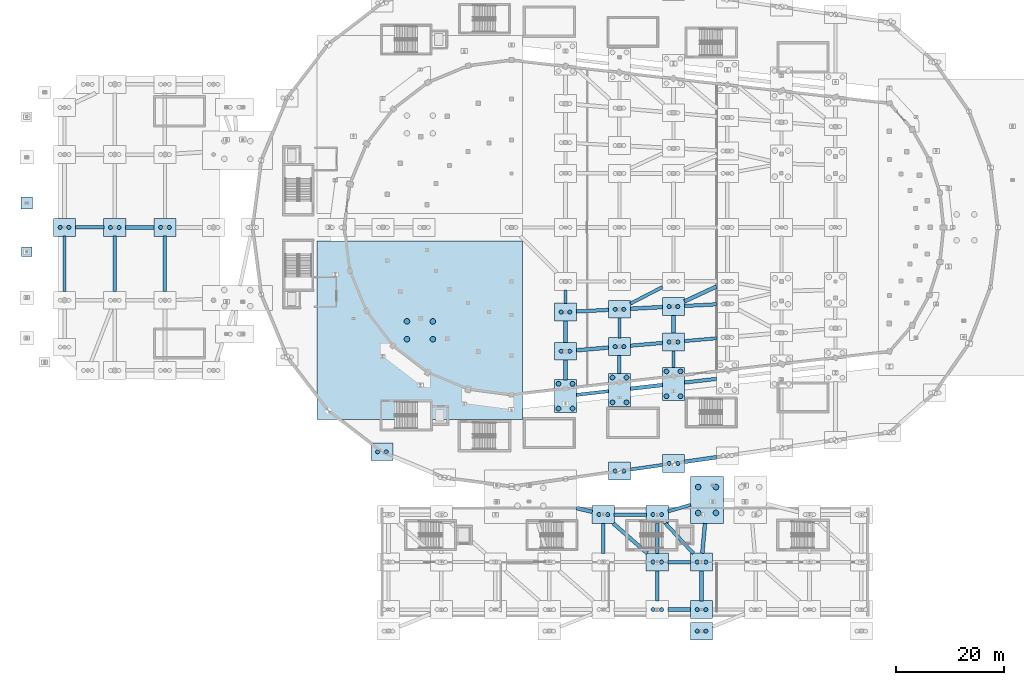
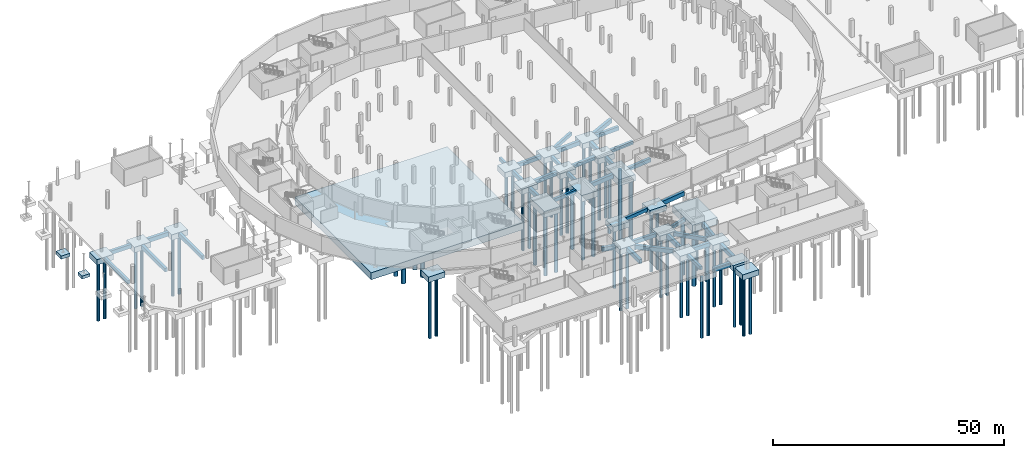
# One storey, part 2 of 55: 62 footings, 58 piles.
"""IFC4 building model written with IfcOpenShell, lengths in metres."""

from ifc_helpers import new_model, si_unit, direction, frame, origin, origin_2d, place, context, subcontext, project, spatial, rectangle, circle, extrude, material, material_profile, profile_set, type_object, element, save


model = new_model("IFC4")

# Units and contexts
model_context = context("Model", 3, precision=1e-05, world=origin(), true_north=direction((0.0, 1.0)))
body_context = subcontext(model_context, "Body", "Model", "MODEL_VIEW")
ifc_project = project(units=[si_unit("LENGTHUNIT", "METRE"), si_unit("AREAUNIT", "SQUARE_METRE"), si_unit("VOLUMEUNIT", "CUBIC_METRE"), si_unit("PLANEANGLEUNIT", "RADIAN"), si_unit("MASSUNIT", "GRAM", prefix="KILO")], contexts=[model_context])

# Site, building, storey
site_placement = place(None, origin())
site = spatial("IfcSite", under=ifc_project, at=site_placement, CompositionType="ELEMENT")
building_placement = place(site_placement, origin())
building = spatial("IfcBuilding", under=site, at=building_placement, Name="Sohan Crest Arena", CompositionType="ELEMENT")
storey_placement = place(building_placement, frame((0.0, 0.0, -4.5)))
storey = spatial("IfcBuildingStorey", under=building, at=storey_placement, Name="B1", CompositionType="ELEMENT", Elevation=-4.5)

# Footings
ifc_material = material(Name="Concrete C40/50", Category="concrete")
ifc_material_profile_1 = material_profile(ifc_material, rectangle(XDim=0.60009765625, YDim=0.89990234375, at=origin_2d()), Name="RC-FB 600x900")
ifc_profile_set_1 = profile_set([ifc_material_profile_1], Name="Concrete C40/50")
footing_type_1 = type_object("IfcFootingType", Name="FND-FB01", PredefinedType="FOOTING_BEAM", material=ifc_profile_set_1)
footing_1_placement = place(storey_placement, frame((15.199951171875, 66.1298828125, -1.0), z_axis=(0.0, 1.0, 0.0), x_axis=(-1.0, 0.0, 0.0)))
element("IfcFooting", 1, at=footing_1_placement, inside=storey, type_object=footing_type_1, Name="Continuous RC footing tie beam FB-003", PredefinedType="FOOTING_BEAM", context=body_context, shape_type="SweptSolid", body=[
    extrude(rectangle(XDim=0.60009765625, YDim=0.89990234375, at=origin_2d()), origin(), (0.0, 0.0, 1.0), 10.240234375),
])
footing_2_placement = place(storey_placement, frame((110.030029296875, 46.97509765625, -1.0), z_axis=(0.993530698181, 0.113563866488, 0.0), x_axis=(-0.113563866488, 0.993530698181, 0.0)))
element("IfcFooting", 2, at=footing_2_placement, inside=storey, type_object=footing_type_1, Name="Continuous RC footing tie beam FB-066", PredefinedType="FOOTING_BEAM", context=body_context, shape_type="SweptSolid", body=[
    extrude(rectangle(XDim=0.60009765625, YDim=0.89990234375, at=origin_2d()), origin(), (0.0, 0.0, 1.0), 5.978515625),
])
footing_3_placement = place(storey_placement, frame((108.0, 63.944091796875, -1.0), z_axis=(0.0, 1.0, 0.0), x_axis=(-1.0, 0.0, 0.0)))
element("IfcFooting", 3, at=footing_3_placement, inside=storey, type_object=footing_type_1, Name="Continuous RC footing tie beam FB-069", PredefinedType="FOOTING_BEAM", context=body_context, shape_type="SweptSolid", body=[
    extrude(rectangle(XDim=0.60009765625, YDim=0.89990234375, at=origin_2d()), origin(), (0.0, 0.0, 1.0), 2.426025390625),
])
footing_4_placement = place(storey_placement, frame((120.030029296875, 33.14697265625, -1.0), z_axis=(0.989936469339, 0.141512496521, 0.0), x_axis=(-0.141512496521, 0.989936469339, 0.0)))
element("IfcFooting", 4, at=footing_4_placement, inside=storey, type_object=footing_type_1, Name="Continuous RC footing tie beam FB-090", PredefinedType="FOOTING_BEAM", context=body_context, shape_type="SweptSolid", body=[
    extrude(rectangle(XDim=0.60009765625, YDim=0.89990234375, at=origin_2d()), origin(), (0.0, 0.0, 1.0), 6.000244140625),
])
footing_5_placement = place(storey_placement, frame((118.0, 57.5439453125, -1.0), z_axis=(0.0, 1.0, 0.0), x_axis=(-1.0, 0.0, 0.0)))
element("IfcFooting", 5, at=footing_5_placement, inside=storey, type_object=footing_type_1, Name="Continuous RC footing tie beam FB-093", PredefinedType="FOOTING_BEAM", context=body_context, shape_type="SweptSolid", body=[
    extrude(rectangle(XDim=0.60009765625, YDim=0.89990234375, at=origin_2d()), origin(), (0.0, 0.0, 1.0), 3.655029296875),
])
footing_6_placement = place(storey_placement, frame((120.030029296875, 63.87890625, -1.0), z_axis=(0.88829931526, 0.459264985066, 0.0), x_axis=(-0.459264985066, 0.88829931526, 0.0)))
element("IfcFooting", 6, at=footing_6_placement, inside=storey, type_object=footing_type_1, Name="Continuous RC footing tie beam FB-096", PredefinedType="FOOTING_BEAM", context=body_context, shape_type="SweptSolid", body=[
    extrude(rectangle(XDim=0.60009765625, YDim=0.89990234375, at=origin_2d()), origin(), (0.0, 0.0, 1.0), 6.686767578125),
])
footing_7_placement = place(storey_placement, frame((125.0, 8.830078125, -1.0), z_axis=(0.0, 1.0, 0.0), x_axis=(-1.0, 0.0, 0.0)))
element("IfcFooting", 7, at=footing_7_placement, inside=storey, type_object=footing_type_1, Name="Continuous RC footing tie beam FB-111", PredefinedType="FOOTING_BEAM", context=body_context, shape_type="SweptSolid", body=[
    extrude(rectangle(XDim=0.60009765625, YDim=0.89990234375, at=origin_2d()), origin(), (0.0, 0.0, 1.0), 5.5400390625),
])
footing_8_placement = place(storey_placement, frame((127.030029296875, 25.39404296875, -1.0), z_axis=(0.959722519763, 0.280949613027, 0.0), x_axis=(-0.280949613027, 0.959722519763, 0.0)))
element("IfcFooting", 8, at=footing_8_placement, inside=storey, type_object=footing_type_1, Name="Continuous RC footing tie beam FB-114", PredefinedType="FOOTING_BEAM", context=body_context, shape_type="SweptSolid", body=[
    extrude(rectangle(XDim=0.60009765625, YDim=0.89990234375, at=origin_2d()), origin(), (0.0, 0.0, 1.0), 4.313720703125),
])
footing_9_placement = place(storey_placement, frame((128.0, 52.05908203125, -1.0), z_axis=(0.0, 1.0, 0.0), x_axis=(-1.0, 0.0, 0.0)))
element("IfcFooting", 9, at=footing_9_placement, inside=storey, type_object=footing_type_1, Name="Continuous RC footing tie beam FB-117", PredefinedType="FOOTING_BEAM", context=body_context, shape_type="SweptSolid", body=[
    extrude(rectangle(XDim=0.60009765625, YDim=0.89990234375, at=origin_2d()), origin(), (0.0, 0.0, 1.0), 3.08203125),
])
footing_10_placement = place(storey_placement, frame((130.030029296875, 56.945068359375, -1.0), z_axis=(0.996334193918, 0.085546326802, 0.0), x_axis=(-0.085546326802, 0.996334193918, 0.0)))
element("IfcFooting", 10, at=footing_10_placement, inside=storey, type_object=footing_type_1, Name="Continuous RC footing tie beam FB-120", PredefinedType="FOOTING_BEAM", context=body_context, shape_type="SweptSolid", body=[
    extrude(rectangle(XDim=0.60009765625, YDim=0.89990234375, at=origin_2d()), origin(), (0.0, 0.0, 1.0), 5.9619140625),
])
ifc_material_profile_2 = material_profile(ifc_material, rectangle(XDim=0.64990234375, YDim=1.0, at=origin_2d()), Name="RC-FB 650x1000")
ifc_profile_set_2 = profile_set([ifc_material_profile_2], Name="Concrete C40/50")
footing_type_2 = type_object("IfcFootingType", Name="FND-FB02", PredefinedType="FOOTING_BEAM", material=ifc_profile_set_2)
footing_11_placement = place(storey_placement, frame((17.22998046875, 78.0, -1.050048828125), z_axis=(1.0, 0.0, 0.0), x_axis=(0.0, 1.0, 0.0)))
element("IfcFooting", 11, at=footing_11_placement, inside=storey, type_object=footing_type_2, Name="Continuous RC footing tie beam FB-004", PredefinedType="FOOTING_BEAM", context=body_context, shape_type="SweptSolid", body=[
    extrude(rectangle(XDim=0.64990234375, YDim=1.0, at=origin_2d()), origin(), (0.0, 0.0, 1.0), 5.239990234375),
])
for number, where, z_axis, x_axis, name in (
    (12, (24.5, 66.1298828125, -1.050048828125), (0.0, 1.0, 0.0), (-1.0, 0.0, 0.0), "Continuous RC footing tie beam FB-013"),
    (13, (33.800048828125, 66.1298828125, -1.050048828125), (0.0, 1.0, 0.0), (-1.0, 0.0, 0.0), "Continuous RC footing tie beam FB-022"),
):
    element("IfcFooting", number, at=place(storey_placement, frame(where, z_axis=z_axis, x_axis=x_axis)), inside=storey, type_object=footing_type_2, Name=name, PredefinedType="FOOTING_BEAM", context=body_context, shape_type="SweptSolid", body=[
        extrude(rectangle(XDim=0.64990234375, YDim=1.0, at=origin_2d()), origin(), (0.0, 0.0, 1.0), 10.240234375),
    ])
footing_12_placement = place(storey_placement, frame((108.0, 56.68701171875, -1.050048828125), z_axis=(0.0, 1.0, 0.0), x_axis=(-1.0, 0.0, 0.0)))
element("IfcFooting", 14, at=footing_12_placement, inside=storey, type_object=footing_type_2, Name="Continuous RC footing tie beam FB-067", PredefinedType="FOOTING_BEAM", context=body_context, shape_type="SweptSolid", body=[
    extrude(rectangle(XDim=0.64990234375, YDim=1.0, at=origin_2d()), origin(), (0.0, 0.0, 1.0), 3.9970703125),
])
footing_13_placement = place(storey_placement, frame((110.030029296875, 62.4189453125, -1.050048828125), z_axis=(0.998682814071, 0.051309228014, 0.0), x_axis=(-0.051309228014, 0.998682814071, 0.0)))
element("IfcFooting", 15, at=footing_13_placement, inside=storey, type_object=footing_type_2, Name="Continuous RC footing tie beam FB-070", PredefinedType="FOOTING_BEAM", context=body_context, shape_type="SweptSolid", body=[
    extrude(rectangle(XDim=0.64990234375, YDim=1.0, at=origin_2d()), origin(), (0.0, 0.0, 1.0), 5.94775390625),
])
footing_14_placement = place(storey_placement, frame((117.030029296875, 24.800048828125, -1.050048828125), z_axis=(1.0, 0.0, 0.0), x_axis=(0.0, 1.0, 0.0)))
element("IfcFooting", 16, at=footing_14_placement, inside=storey, type_object=footing_type_2, Name="Continuous RC footing tie beam FB-088", PredefinedType="FOOTING_BEAM", context=body_context, shape_type="SweptSolid", body=[
    extrude(rectangle(XDim=0.64990234375, YDim=1.0, at=origin_2d()), origin(), (0.0, 0.0, 1.0), 5.93994140625),
])
footing_15_placement = place(storey_placement, frame((118.0, 50.916015625, -1.050048828125), z_axis=(0.0, 1.0, 0.0), x_axis=(-1.0, 0.0, 0.0)))
element("IfcFooting", 17, at=footing_15_placement, inside=storey, type_object=footing_type_2, Name="Continuous RC footing tie beam FB-091", PredefinedType="FOOTING_BEAM", context=body_context, shape_type="SweptSolid", body=[
    extrude(rectangle(XDim=0.64990234375, YDim=1.0, at=origin_2d()), origin(), (0.0, 0.0, 1.0), 3.367919921875),
])
footing_16_placement = place(storey_placement, frame((120.030029296875, 56.087890625, -1.050048828125), z_axis=(0.996348142256, 0.085383718726, 0.0), x_axis=(-0.085383718726, 0.996348142256, 0.0)))
element("IfcFooting", 18, at=footing_16_placement, inside=storey, type_object=footing_type_2, Name="Continuous RC footing tie beam FB-094", PredefinedType="FOOTING_BEAM", context=body_context, shape_type="SweptSolid", body=[
    extrude(rectangle(XDim=0.64990234375, YDim=1.0, at=origin_2d()), origin(), (0.0, 0.0, 1.0), 5.961669921875),
])
footing_17_placement = place(storey_placement, frame((127.030029296875, 16.0, -1.050048828125), z_axis=(1.0, 0.0, 0.0), x_axis=(0.0, 1.0, 0.0)))
element("IfcFooting", 19, at=footing_17_placement, inside=storey, type_object=footing_type_2, Name="Continuous RC footing tie beam FB-112", PredefinedType="FOOTING_BEAM", context=body_context, shape_type="SweptSolid", body=[
    extrude(rectangle(XDim=0.64990234375, YDim=1.0, at=origin_2d()), origin(), (0.0, 0.0, 1.0), 4.139892578125),
])
footing_18_placement = place(storey_placement, frame((126.51904296875, 23.169921875, -1.050048828125), z_axis=(0.681694221189, -0.731637197522, 0.0), x_axis=(0.731637197522, 0.681694221189, 0.0)))
element("IfcFooting", 20, at=footing_18_placement, inside=storey, type_object=footing_type_2, Name="Continuous RC footing tie beam FB-115", PredefinedType="FOOTING_BEAM", context=body_context, shape_type="SweptSolid", body=[
    extrude(rectangle(XDim=0.64990234375, YDim=1.0, at=origin_2d()), origin(), (0.0, 0.0, 1.0), 7.572021484375),
])
footing_19_placement = place(storey_placement, frame((130.030029296875, 49.260986328125, -1.050048828125), z_axis=(0.99354911524, 0.1134026261, 0.0), x_axis=(-0.1134026261, 0.99354911524, 0.0)))
element("IfcFooting", 21, at=footing_19_placement, inside=storey, type_object=footing_type_2, Name="Continuous RC footing tie beam FB-118", PredefinedType="FOOTING_BEAM", context=body_context, shape_type="SweptSolid", body=[
    extrude(rectangle(XDim=0.64990234375, YDim=1.0, at=origin_2d()), origin(), (0.0, 0.0, 1.0), 5.978515625),
])
footing_20_placement = place(storey_placement, frame((130.030029296875, 63.447021484375, -1.050048828125), z_axis=(0.998676496553, 0.051432044808, 0.0), x_axis=(-0.051432044808, 0.998676496553, 0.0)))
element("IfcFooting", 22, at=footing_20_placement, inside=storey, type_object=footing_type_2, Name="Continuous RC footing tie beam FB-121", PredefinedType="FOOTING_BEAM", context=body_context, shape_type="SweptSolid", body=[
    extrude(rectangle(XDim=0.64990234375, YDim=1.0, at=origin_2d()), origin(), (0.0, 0.0, 1.0), 5.94775390625),
])
ifc_material_profile_3 = material_profile(ifc_material, rectangle(XDim=0.699951171875, YDim=1.10009765625, at=origin_2d()), Name="RC-FB 700x1100")
ifc_profile_set_3 = profile_set([ifc_material_profile_3], Name="Concrete C40/50")
footing_type_3 = type_object("IfcFootingType", Name="FND-FB03", PredefinedType="FOOTING_BEAM", material=ifc_profile_set_3)
footing_21_placement = place(storey_placement, frame((26.530029296875, 78.0, -1.10009765625), z_axis=(1.0, 0.0, 0.0), x_axis=(0.0, 1.0, 0.0)))
element("IfcFooting", 23, at=footing_21_placement, inside=storey, type_object=footing_type_3, Name="Continuous RC footing tie beam FB-014", PredefinedType="FOOTING_BEAM", context=body_context, shape_type="SweptSolid", body=[
    extrude(rectangle(XDim=0.699951171875, YDim=1.10009765625, at=origin_2d()), origin(), (0.0, 0.0, 1.0), 5.239990234375),
])
footing_22_placement = place(storey_placement, frame((110.030029296875, 26.02001953125, -1.10009765625), z_axis=(0.971149202635, -0.238472694917, 0.0), x_axis=(0.238472694917, 0.971149202635, 0.0)))
element("IfcFooting", 24, at=footing_22_placement, inside=storey, type_object=footing_type_3, Name="Continuous RC footing tie beam FB-056", PredefinedType="FOOTING_BEAM", context=body_context, shape_type="SweptSolid", body=[
    extrude(rectangle(XDim=0.699951171875, YDim=1.10009765625, at=origin_2d()), origin(), (0.0, 0.0, 1.0), 3.02734375),
])
footing_23_placement = place(storey_placement, frame((108.0, 49.77294921875, -1.10009765625), z_axis=(0.0, 1.0, 0.0), x_axis=(-1.0, 0.0, 0.0)))
element("IfcFooting", 25, at=footing_23_placement, inside=storey, type_object=footing_type_3, Name="Continuous RC footing tie beam FB-065", PredefinedType="FOOTING_BEAM", context=body_context, shape_type="SweptSolid", body=[
    extrude(rectangle(XDim=0.699951171875, YDim=1.10009765625, at=origin_2d()), origin(), (0.0, 0.0, 1.0), 3.654052734375),
])
footing_24_placement = place(storey_placement, frame((110.030029296875, 55.23095703125, -1.10009765625), z_axis=(0.996348142256, 0.085383718726, 0.0), x_axis=(-0.085383718726, 0.996348142256, 0.0)))
element("IfcFooting", 26, at=footing_24_placement, inside=storey, type_object=footing_type_3, Name="Continuous RC footing tie beam FB-068", PredefinedType="FOOTING_BEAM", context=body_context, shape_type="SweptSolid", body=[
    extrude(rectangle(XDim=0.699951171875, YDim=1.10009765625, at=origin_2d()), origin(), (0.0, 0.0, 1.0), 5.961669921875),
])
footing_25_placement = place(storey_placement, frame((115.0, 17.6298828125, -1.10009765625), z_axis=(0.0, 1.0, 0.0), x_axis=(-1.0, 0.0, 0.0)))
element("IfcFooting", 27, at=footing_25_placement, inside=storey, type_object=footing_type_3, Name="Continuous RC footing tie beam FB-086", PredefinedType="FOOTING_BEAM", context=body_context, shape_type="SweptSolid", body=[
    extrude(rectangle(XDim=0.699951171875, YDim=1.10009765625, at=origin_2d()), origin(), (0.0, 0.0, 1.0), 5.5400390625),
])
footing_26_placement = place(storey_placement, frame((116.85205078125, 23.169921875, -1.10009765625), z_axis=(0.750734306922, -0.660604269143, 0.0), x_axis=(0.660604269143, 0.750734306922, 0.0)))
element("IfcFooting", 28, at=footing_26_placement, inside=storey, type_object=footing_type_3, Name="Continuous RC footing tie beam FB-089", PredefinedType="FOOTING_BEAM", context=body_context, shape_type="SweptSolid", body=[
    extrude(rectangle(XDim=0.699951171875, YDim=1.10009765625, at=origin_2d()), origin(), (0.0, 0.0, 1.0), 8.38623046875),
])
footing_27_placement = place(storey_placement, frame((120.030029296875, 48.117919921875, -1.10009765625), z_axis=(0.993526089935, 0.113604175183, 0.0), x_axis=(-0.113604175183, 0.993526089935, 0.0)))
element("IfcFooting", 29, at=footing_27_placement, inside=storey, type_object=footing_type_3, Name="Continuous RC footing tie beam FB-092", PredefinedType="FOOTING_BEAM", context=body_context, shape_type="SweptSolid", body=[
    extrude(rectangle(XDim=0.699951171875, YDim=1.10009765625, at=origin_2d()), origin(), (0.0, 0.0, 1.0), 5.978759765625),
])
footing_28_placement = place(storey_placement, frame((120.030029296875, 62.93310546875, -1.10009765625), z_axis=(0.998676496553, 0.051432044808, 0.0), x_axis=(-0.051432044808, 0.998676496553, 0.0)))
element("IfcFooting", 30, at=footing_28_placement, inside=storey, type_object=footing_type_3, Name="Continuous RC footing tie beam FB-095", PredefinedType="FOOTING_BEAM", context=body_context, shape_type="SweptSolid", body=[
    extrude(rectangle(XDim=0.699951171875, YDim=1.10009765625, at=origin_2d()), origin(), (0.0, 0.0, 1.0), 5.94775390625),
])
footing_29_placement = place(storey_placement, frame((127.030029296875, 7.199951171875, -1.10009765625), z_axis=(1.0, 0.0, 0.0), x_axis=(0.0, 1.0, 0.0)))
element("IfcFooting", 31, at=footing_29_placement, inside=storey, type_object=footing_type_3, Name="Continuous RC footing tie beam FB-110", PredefinedType="FOOTING_BEAM", context=body_context, shape_type="SweptSolid", body=[
    extrude(rectangle(XDim=0.699951171875, YDim=1.10009765625, at=origin_2d()), origin(), (0.0, 0.0, 1.0), 4.139892578125),
])
footing_30_placement = place(storey_placement, frame((125.0, 17.6298828125, -1.10009765625), z_axis=(0.0, 1.0, 0.0), x_axis=(-1.0, 0.0, 0.0)))
element("IfcFooting", 32, at=footing_30_placement, inside=storey, type_object=footing_type_3, Name="Continuous RC footing tie beam FB-113", PredefinedType="FOOTING_BEAM", context=body_context, shape_type="SweptSolid", body=[
    extrude(rectangle(XDim=0.699951171875, YDim=1.10009765625, at=origin_2d()), origin(), (0.0, 0.0, 1.0), 5.5400390625),
])
footing_31_placement = place(storey_placement, frame((130.030029296875, 34.575927734375, -1.10009765625), z_axis=(0.989959256621, 0.141352998664, 0.0), x_axis=(-0.141352998664, 0.989959256621, 0.0)))
element("IfcFooting", 33, at=footing_31_placement, inside=storey, type_object=footing_type_3, Name="Continuous RC footing tie beam FB-116", PredefinedType="FOOTING_BEAM", context=body_context, shape_type="SweptSolid", body=[
    extrude(rectangle(XDim=0.699951171875, YDim=1.10009765625, at=origin_2d()), origin(), (0.0, 0.0, 1.0), 6.000244140625),
])
footing_32_placement = place(storey_placement, frame((128.0, 58.40087890625, -1.10009765625), z_axis=(0.0, 1.0, 0.0), x_axis=(-1.0, 0.0, 0.0)))
element("IfcFooting", 34, at=footing_32_placement, inside=storey, type_object=footing_type_3, Name="Continuous RC footing tie beam FB-119", PredefinedType="FOOTING_BEAM", context=body_context, shape_type="SweptSolid", body=[
    extrude(rectangle(XDim=0.699951171875, YDim=1.10009765625, at=origin_2d()), origin(), (0.0, 0.0, 1.0), 3.31201171875),
])
footing_33_placement = place(storey_placement, frame((130.030029296875, 64.2880859375, -1.10009765625), z_axis=(0.906482742489, 0.422242865624, 0.0), x_axis=(-0.422242865624, 0.906482742489, 0.0)))
element("IfcFooting", 35, at=footing_33_placement, inside=storey, type_object=footing_type_3, Name="Continuous RC footing tie beam FB-122", PredefinedType="FOOTING_BEAM", context=body_context, shape_type="SweptSolid", body=[
    extrude(rectangle(XDim=0.699951171875, YDim=1.10009765625, at=origin_2d()), origin(), (0.0, 0.0, 1.0), 6.552734375),
])
footing_34_placement = place(storey_placement, frame((133.199951171875, 8.830078125, -1.10009765625), z_axis=(0.0, 1.0, 0.0), x_axis=(-1.0, 0.0, 0.0)))
element("IfcFooting", 36, at=footing_34_placement, inside=storey, type_object=footing_type_3, Name="Continuous RC footing tie beam FB-137", PredefinedType="FOOTING_BEAM", context=body_context, shape_type="SweptSolid", body=[
    extrude(rectangle(XDim=0.699951171875, YDim=1.10009765625, at=origin_2d()), origin(), (0.0, 0.0, 1.0), 5.5400390625),
])
footing_35_placement = place(storey_placement, frame((133.344970703125, 17.6298828125, -1.10009765625), z_axis=(0.088841733145, 0.9960457552, 0.0), x_axis=(-0.9960457552, 0.088841733145, 0.0)))
element("IfcFooting", 37, at=footing_35_placement, inside=storey, type_object=footing_type_3, Name="Continuous RC footing tie beam FB-140", PredefinedType="FOOTING_BEAM", context=body_context, shape_type="SweptSolid", body=[
    extrude(rectangle(XDim=0.699951171875, YDim=1.10009765625, at=origin_2d()), origin(), (0.0, 0.0, 1.0), 5.56201171875),
])

# Piles
ifc_material_profile_4 = material_profile(ifc_material, circle(Radius=0.449951171875, at=origin_2d()), Name="PILE D900")
ifc_profile_set_4 = profile_set([ifc_material_profile_4], Name="Concrete C40/50")
pile_type_1 = type_object("IfcPileType", Name="FND-P01", PredefinedType="BORED", material=ifc_profile_set_4)
for number, where, z_axis, x_axis, name in (
    (38, (109.300048828125, 44.443115234375, -18.0), (0.0, 0.0, 1.0), (1.0, 0.0, 0.0), "Bored Concrete C40/50 pile P-052-1"),
    (39, (109.300048828125, 49.04296875, -18.0), (0.0, 0.0, 1.0), (1.0, 0.0, 0.0), "Bored Concrete C40/50 pile P-052-2"),
    (40, (106.699951171875, 44.443115234375, -18.0), (0.0, 0.0, 1.0), (1.0, 0.0, 0.0), "Bored Concrete C40/50 pile P-052-3"),
    (41, (106.699951171875, 49.04296875, -18.0), (0.0, 0.0, 1.0), (1.0, 0.0, 0.0), "Bored Concrete C40/50 pile P-052-4"),
    (42, (119.300048828125, 45.5859375, -18.0), (0.0, 0.0, 1.0), (1.0, 0.0, 0.0), "Bored Concrete C40/50 pile P-066-1"),
    (43, (119.300048828125, 50.18603515625, -18.0), (0.0, 0.0, 1.0), (1.0, 0.0, 0.0), "Bored Concrete C40/50 pile P-066-2"),
    (44, (116.699951171875, 45.5859375, -18.0), (0.0, 0.0, 1.0), (1.0, 0.0, 0.0), "Bored Concrete C40/50 pile P-066-3"),
    (45, (116.699951171875, 50.18603515625, -18.0), (0.0, 0.0, 1.0), (1.0, 0.0, 0.0), "Bored Concrete C40/50 pile P-066-4"),
    (46, (129.300048828125, 46.72900390625, -18.0), (0.0, 0.0, 1.0), (1.0, 0.0, 0.0), "Bored Concrete C40/50 pile P-080-1"),
    (47, (129.300048828125, 51.3291015625, -18.0), (0.0, 0.0, 1.0), (1.0, 0.0, 0.0), "Bored Concrete C40/50 pile P-080-2"),
    (48, (126.699951171875, 46.72900390625, -18.0), (0.0, 0.0, 1.0), (1.0, 0.0, 0.0), "Bored Concrete C40/50 pile P-080-3"),
    (49, (126.699951171875, 51.3291015625, -18.0), (0.0, 0.0, 1.0), (1.0, 0.0, 0.0), "Bored Concrete C40/50 pile P-080-4"),
):
    element("IfcPile", number, at=place(storey_placement, frame(where, z_axis=z_axis, x_axis=x_axis)), inside=storey, type_object=pile_type_1, Name=name, PredefinedType="BORED", context=body_context, shape_type="SweptSolid", body=[
        extrude(circle(Radius=0.449951171875, at=origin_2d()), origin(), (0.0, 0.0, 1.0), 15.919921875),
    ])
ifc_material_profile_5 = material_profile(ifc_material, circle(Radius=0.52490234375, at=origin_2d()), Name="PILE D1050")
ifc_profile_set_5 = profile_set([ifc_material_profile_5], Name="Concrete C40/50")
pile_type_2 = type_object("IfcPileType", Name="FND-P02", PredefinedType="BORED", material=ifc_profile_set_5)
for number, where, z_axis, x_axis, name in (
    (50, (78.62890625, 57.282958984375, -18.0), (0.0, 0.0, 1.0), (1.0, 0.0, 0.0), "Bored Concrete C40/50 pile P-028-1"),
    (51, (83.428955078125, 57.282958984375, -18.0), (0.0, 0.0, 1.0), (1.0, 0.0, 0.0), "Bored Concrete C40/50 pile P-028-2"),
    (52, (78.62890625, 60.5830078125, -18.0), (0.0, 0.0, 1.0), (1.0, 0.0, 0.0), "Bored Concrete C40/50 pile P-028-3"),
    (53, (83.428955078125, 60.5830078125, -18.0), (0.0, 0.0, 1.0), (1.0, 0.0, 0.0), "Bored Concrete C40/50 pile P-028-4"),
    (54, (135.875, 25.10009765625, -18.0), (0.0, 0.0, 1.0), (1.0, 0.0, 0.0), "Bored Concrete C40/50 pile P-093-1"),
    (55, (135.875, 29.89990234375, -18.0), (0.0, 0.0, 1.0), (1.0, 0.0, 0.0), "Bored Concrete C40/50 pile P-093-2"),
    (56, (132.574951171875, 25.10009765625, -18.0), (0.0, 0.0, 1.0), (1.0, 0.0, 0.0), "Bored Concrete C40/50 pile P-093-3"),
    (57, (132.574951171875, 29.89990234375, -18.0), (0.0, 0.0, 1.0), (1.0, 0.0, 0.0), "Bored Concrete C40/50 pile P-093-4"),
):
    element("IfcPile", number, at=place(storey_placement, frame(where, z_axis=z_axis, x_axis=x_axis)), inside=storey, type_object=pile_type_2, Name=name, PredefinedType="BORED", context=body_context, shape_type="SweptSolid", body=[
        extrude(circle(Radius=0.52490234375, at=origin_2d()), origin(), (0.0, 0.0, 1.0), 15.719970703125),
    ])
ifc_material_profile_6 = material_profile(ifc_material, circle(Radius=0.375, at=origin_2d()), Name="PILE D750")
ifc_profile_set_6 = profile_set([ifc_material_profile_6], Name="Concrete C40/50")
pile_type_3 = type_object("IfcPileType", Name="FND-P03", PredefinedType="BORED", material=ifc_profile_set_6)
for number, where, z_axis, x_axis, name in (
    (58, (14.39990234375, 78.0, -18.0), (0.0, 0.0, 1.0), (1.0, 0.0, 0.0), "Bored Concrete C40/50 pile P-003-1"),
    (59, (16.0, 78.0, -18.0), (0.0, 0.0, 1.0), (1.0, 0.0, 0.0), "Bored Concrete C40/50 pile P-003-2"),
    (60, (23.699951171875, 78.0, -18.0), (0.0, 0.0, 1.0), (1.0, 0.0, 0.0), "Bored Concrete C40/50 pile P-010-1"),
    (61, (25.300048828125, 78.0, -18.0), (0.0, 0.0, 1.0), (1.0, 0.0, 0.0), "Bored Concrete C40/50 pile P-010-2"),
    (62, (33.0, 78.0, -18.0), (0.0, 0.0, 1.0), (1.0, 0.0, 0.0), "Bored Concrete C40/50 pile P-015-1"),
    (63, (34.60009765625, 78.0, -18.0), (0.0, 0.0, 1.0), (1.0, 0.0, 0.0), "Bored Concrete C40/50 pile P-015-2"),
    (64, (73.199951171875, 36.430908203125, -18.0), (0.0, 0.0, 1.0), (1.0, 0.0, 0.0), "Bored Concrete C40/50 pile P-031-1"),
    (65, (74.800048828125, 36.430908203125, -18.0), (0.0, 0.0, 1.0), (1.0, 0.0, 0.0), "Bored Concrete C40/50 pile P-031-2"),
    (66, (107.199951171875, 55.056884765625, -18.0), (0.0, 0.0, 1.0), (1.0, 0.0, 0.0), "Bored Concrete C40/50 pile P-053-1"),
    (67, (108.800048828125, 55.056884765625, -18.0), (0.0, 0.0, 1.0), (1.0, 0.0, 0.0), "Bored Concrete C40/50 pile P-053-2"),
    (68, (107.199951171875, 62.31396484375, -18.0), (0.0, 0.0, 1.0), (1.0, 0.0, 0.0), "Bored Concrete C40/50 pile P-054-1"),
    (69, (108.800048828125, 62.31396484375, -18.0), (0.0, 0.0, 1.0), (1.0, 0.0, 0.0), "Bored Concrete C40/50 pile P-054-2"),
    (70, (114.199951171875, 24.800048828125, -18.0), (0.0, 0.0, 1.0), (1.0, 0.0, 0.0), "Bored Concrete C40/50 pile P-064-1"),
    (71, (115.800048828125, 24.800048828125, -18.0), (0.0, 0.0, 1.0), (1.0, 0.0, 0.0), "Bored Concrete C40/50 pile P-064-2"),
    (72, (117.199951171875, 32.85693359375, -18.0), (0.0, 0.0, 1.0), (1.0, 0.0, 0.0), "Bored Concrete C40/50 pile P-065-1"),
    (73, (118.800048828125, 32.85693359375, -18.0), (0.0, 0.0, 1.0), (1.0, 0.0, 0.0), "Bored Concrete C40/50 pile P-065-2"),
    (74, (117.199951171875, 55.9140625, -18.0), (0.0, 0.0, 1.0), (1.0, 0.0, 0.0), "Bored Concrete C40/50 pile P-067-1"),
    (75, (118.800048828125, 55.9140625, -18.0), (0.0, 0.0, 1.0), (1.0, 0.0, 0.0), "Bored Concrete C40/50 pile P-067-2"),
    (76, (117.199951171875, 62.8291015625, -18.0), (0.0, 0.0, 1.0), (1.0, 0.0, 0.0), "Bored Concrete C40/50 pile P-068-1"),
    (77, (118.800048828125, 62.8291015625, -18.0), (0.0, 0.0, 1.0), (1.0, 0.0, 0.0), "Bored Concrete C40/50 pile P-068-2"),
    (78, (124.199951171875, 7.199951171875, -18.0), (0.0, 0.0, 1.0), (1.0, 0.0, 0.0), "Bored Concrete C40/50 pile P-076-1"),
    (79, (125.800048828125, 7.199951171875, -18.0), (0.0, 0.0, 1.0), (1.0, 0.0, 0.0), "Bored Concrete C40/50 pile P-076-2"),
    (80, (124.199951171875, 16.0, -18.0), (0.0, 0.0, 1.0), (1.0, 0.0, 0.0), "Bored Concrete C40/50 pile P-077-1"),
    (81, (125.800048828125, 16.0, -18.0), (0.0, 0.0, 1.0), (1.0, 0.0, 0.0), "Bored Concrete C40/50 pile P-077-2"),
    (82, (124.199951171875, 24.800048828125, -18.0), (0.0, 0.0, 1.0), (1.0, 0.0, 0.0), "Bored Concrete C40/50 pile P-078-1"),
    (83, (125.800048828125, 24.800048828125, -18.0), (0.0, 0.0, 1.0), (1.0, 0.0, 0.0), "Bored Concrete C40/50 pile P-078-2"),
    (84, (127.199951171875, 34.285888671875, -18.0), (0.0, 0.0, 1.0), (1.0, 0.0, 0.0), "Bored Concrete C40/50 pile P-079-1"),
    (85, (128.800048828125, 34.285888671875, -18.0), (0.0, 0.0, 1.0), (1.0, 0.0, 0.0), "Bored Concrete C40/50 pile P-079-2"),
    (86, (127.199951171875, 56.77099609375, -18.0), (0.0, 0.0, 1.0), (1.0, 0.0, 0.0), "Bored Concrete C40/50 pile P-081-1"),
    (87, (128.800048828125, 56.77099609375, -18.0), (0.0, 0.0, 1.0), (1.0, 0.0, 0.0), "Bored Concrete C40/50 pile P-081-2"),
    (88, (127.199951171875, 63.343017578125, -18.0), (0.0, 0.0, 1.0), (1.0, 0.0, 0.0), "Bored Concrete C40/50 pile P-082-1"),
    (89, (128.800048828125, 63.343017578125, -18.0), (0.0, 0.0, 1.0), (1.0, 0.0, 0.0), "Bored Concrete C40/50 pile P-082-2"),
    (90, (132.39990234375, 3.199951171875, -18.0), (0.0, 0.0, 1.0), (1.0, 0.0, 0.0), "Bored Concrete C40/50 pile P-090-1"),
    (91, (134.0, 3.199951171875, -18.0), (0.0, 0.0, 1.0), (1.0, 0.0, 0.0), "Bored Concrete C40/50 pile P-090-2"),
    (92, (132.39990234375, 7.199951171875, -18.0), (0.0, 0.0, 1.0), (1.0, 0.0, 0.0), "Bored Concrete C40/50 pile P-091-1"),
    (93, (134.0, 7.199951171875, -18.0), (0.0, 0.0, 1.0), (1.0, 0.0, 0.0), "Bored Concrete C40/50 pile P-091-2"),
    (94, (132.39990234375, 16.0, -18.0), (0.0, 0.0, 1.0), (1.0, 0.0, 0.0), "Bored Concrete C40/50 pile P-092-1"),
    (95, (134.0, 16.0, -18.0), (0.0, 0.0, 1.0), (1.0, 0.0, 0.0), "Bored Concrete C40/50 pile P-092-2"),
):
    element("IfcPile", number, at=place(storey_placement, frame(where, z_axis=z_axis, x_axis=x_axis)), inside=storey, type_object=pile_type_3, Name=name, PredefinedType="BORED", context=body_context, shape_type="SweptSolid", body=[
        extrude(circle(Radius=0.375, at=origin_2d()), origin(), (0.0, 0.0, 1.0), 16.1201171875),
    ])

# Footings
footing_type_4 = type_object("IfcFootingType", Name="FND-PAD01", PredefinedType="PAD_FOOTING", material=ifc_material)
footing_36_placement = place(storey_placement, frame((8.199951171875, 82.5, -1.400146484375), z_axis=(0.0, 0.0, 1.0), x_axis=(1.0, 0.0, 0.0)))
element("IfcFooting", 96, at=footing_36_placement, inside=storey, type_object=footing_type_4, Name="Canopy pad footing PF-03", PredefinedType="PAD_FOOTING", context=body_context, shape_type="SweptSolid", body=[
    extrude(rectangle(XDim=2.199951171875, YDim=2.199951171875, at=origin_2d()), origin(), (0.0, 0.0, 1.0), 0.85009765625),
])
footing_type_5 = type_object("IfcFootingType", Name="FND-PAD03", PredefinedType="PAD_FOOTING", material=ifc_material)
footing_37_placement = place(storey_placement, frame((8.199951171875, 73.5, -1.35009765625), z_axis=(0.0, 0.0, 1.0), x_axis=(1.0, 0.0, 0.0)))
element("IfcFooting", 97, at=footing_37_placement, inside=storey, type_object=footing_type_5, Name="Canopy pad footing PF-02", PredefinedType="PAD_FOOTING", context=body_context, shape_type="SweptSolid", body=[
    extrude(rectangle(XDim=2.0, YDim=1.800048828125, at=origin_2d()), origin(), (0.0, 0.0, 1.0), 0.800048828125),
])
footing_type_6 = type_object("IfcFootingType", Name="FND-PC02", PredefinedType="PILE_CAP", material=ifc_material)
for number, where, z_axis, x_axis, name in (
    (98, (15.199951171875, 78.0, -2.0), (0.0, 0.0, 1.0), (1.0, 0.0, 0.0), "Reinforced concrete pile cap PC-003"),
    (99, (24.5, 78.0, -2.0), (0.0, 0.0, 1.0), (1.0, 0.0, 0.0), "Reinforced concrete pile cap PC-010"),
    (100, (33.800048828125, 78.0, -2.0), (0.0, 0.0, 1.0), (1.0, 0.0, 0.0), "Reinforced concrete pile cap PC-015"),
    (101, (74.0, 36.430908203125, -2.0), (0.0, 0.0, 1.0), (1.0, 0.0, 0.0), "Reinforced concrete pile cap PC-031"),
    (102, (108.0, 55.056884765625, -2.0), (0.0, 0.0, 1.0), (1.0, 0.0, 0.0), "Reinforced concrete pile cap PC-053"),
    (103, (108.0, 62.31396484375, -2.0), (0.0, 0.0, 1.0), (1.0, 0.0, 0.0), "Reinforced concrete pile cap PC-054"),
    (104, (115.0, 24.800048828125, -2.0), (0.0, 0.0, 1.0), (1.0, 0.0, 0.0), "Reinforced concrete pile cap PC-064"),
    (105, (118.0, 32.85693359375, -2.0), (0.0, 0.0, 1.0), (1.0, 0.0, 0.0), "Reinforced concrete pile cap PC-065"),
    (106, (118.0, 55.9140625, -2.0), (0.0, 0.0, 1.0), (1.0, 0.0, 0.0), "Reinforced concrete pile cap PC-067"),
    (107, (118.0, 62.8291015625, -2.0), (0.0, 0.0, 1.0), (1.0, 0.0, 0.0), "Reinforced concrete pile cap PC-068"),
    (108, (125.0, 16.0, -2.0), (0.0, 0.0, 1.0), (1.0, 0.0, 0.0), "Reinforced concrete pile cap PC-077"),
    (109, (125.0, 24.800048828125, -2.0), (0.0, 0.0, 1.0), (1.0, 0.0, 0.0), "Reinforced concrete pile cap PC-078"),
    (110, (128.0, 34.285888671875, -2.0), (0.0, 0.0, 1.0), (1.0, 0.0, 0.0), "Reinforced concrete pile cap PC-079"),
    (111, (128.0, 56.77099609375, -2.0), (0.0, 0.0, 1.0), (1.0, 0.0, 0.0), "Reinforced concrete pile cap PC-081"),
    (112, (128.0, 63.343017578125, -2.0), (0.0, 0.0, 1.0), (1.0, 0.0, 0.0), "Reinforced concrete pile cap PC-082"),
    (113, (133.199951171875, 3.199951171875, -2.0), (0.0, 0.0, 1.0), (1.0, 0.0, 0.0), "Reinforced concrete pile cap PC-090"),
    (114, (133.199951171875, 7.199951171875, -2.0), (0.0, 0.0, 1.0), (1.0, 0.0, 0.0), "Reinforced concrete pile cap PC-091"),
    (115, (133.199951171875, 16.0, -2.0), (0.0, 0.0, 1.0), (1.0, 0.0, 0.0), "Reinforced concrete pile cap PC-092"),
):
    element("IfcFooting", number, at=place(storey_placement, frame(where, z_axis=z_axis, x_axis=x_axis)), inside=storey, type_object=footing_type_6, Name=name, PredefinedType="PILE_CAP", context=body_context, shape_type="SweptSolid", body=[
        extrude(rectangle(XDim=4.10009765625, YDim=3.300048828125, at=origin_2d()), origin(), (0.0, 0.0, 1.0), 1.449951171875),
    ])
footing_type_7 = type_object("IfcFootingType", Name="FND-PC06", PredefinedType="PILE_CAP", material=ifc_material)
for number, where, z_axis, x_axis, name in (
    (116, (108.0, 46.742919921875, -2.199951171875), (0.0, 0.0, 1.0), (0.0, 1.0, 0.0), "Reinforced concrete pile cap PC-052"),
    (117, (118.0, 47.885986328125, -2.199951171875), (0.0, 0.0, 1.0), (0.0, 1.0, 0.0), "Reinforced concrete pile cap PC-066"),
    (118, (128.0, 49.029052734375, -2.199951171875), (0.0, 0.0, 1.0), (0.0, 1.0, 0.0), "Reinforced concrete pile cap PC-080"),
):
    element("IfcFooting", number, at=place(storey_placement, frame(where, z_axis=z_axis, x_axis=x_axis)), inside=storey, type_object=footing_type_7, Name=name, PredefinedType="PILE_CAP", context=body_context, shape_type="SweptSolid", body=[
        extrude(rectangle(XDim=6.10009765625, YDim=4.10009765625, at=origin_2d()), origin(), (0.0, 0.0, 1.0), 1.64990234375),
    ])
footing_type_8 = type_object("IfcFootingType", Name="FND-PC10", PredefinedType="PILE_CAP", material=ifc_material)
footing_38_placement = place(storey_placement, frame((81.029052734375, 58.93310546875, -2.400146484375), z_axis=(0.0, 0.0, 1.0), x_axis=(1.0, 0.0, 0.0)))
element("IfcFooting", 119, at=footing_38_placement, inside=storey, type_object=footing_type_8, Name="Reinforced concrete pile cap PC-028", PredefinedType="PILE_CAP", context=body_context, shape_type="SweptSolid", body=[
    extrude(rectangle(XDim=38.0400390625, YDim=33.050048828125, at=origin_2d()), origin(), (0.0, 0.0, 1.0), 1.85009765625),
])
footing_39_placement = place(storey_placement, frame((134.22509765625, 27.5, -2.400146484375), z_axis=(0.0, 0.0, 1.0), x_axis=(0.0, 1.0, 0.0)))
element("IfcFooting", 120, at=footing_39_placement, inside=storey, type_object=footing_type_8, Name="Reinforced concrete pile cap PC-093", PredefinedType="PILE_CAP", context=body_context, shape_type="SweptSolid", body=[
    extrude(rectangle(XDim=8.699951171875, YDim=6.14990234375, at=origin_2d()), origin(), (0.0, 0.0, 1.0), 1.85009765625),
])

save(model, "model.ifc")
